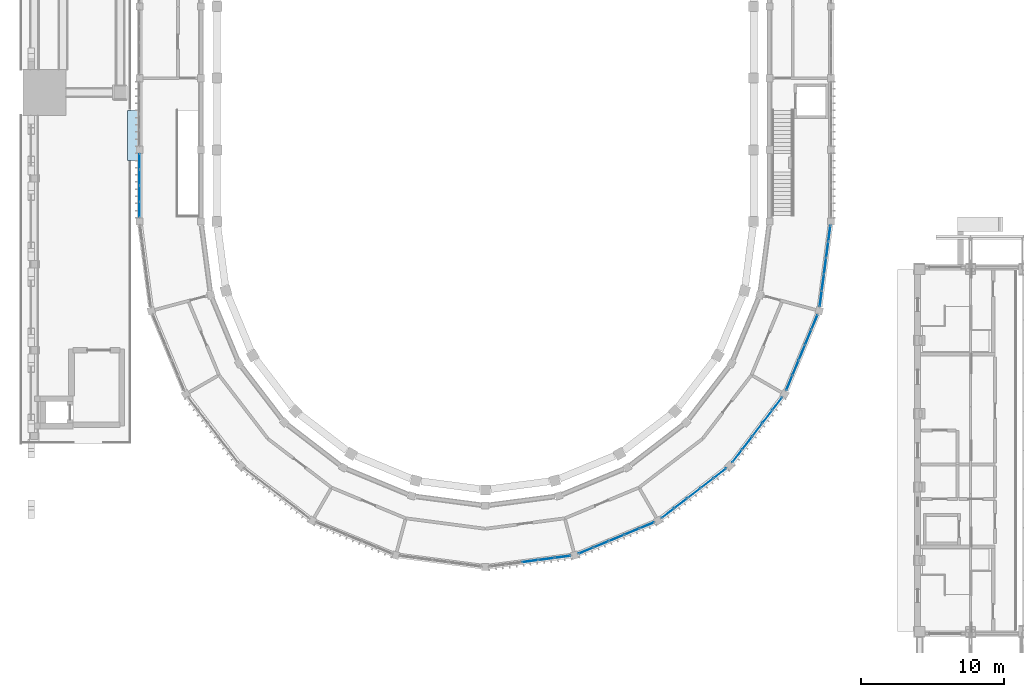
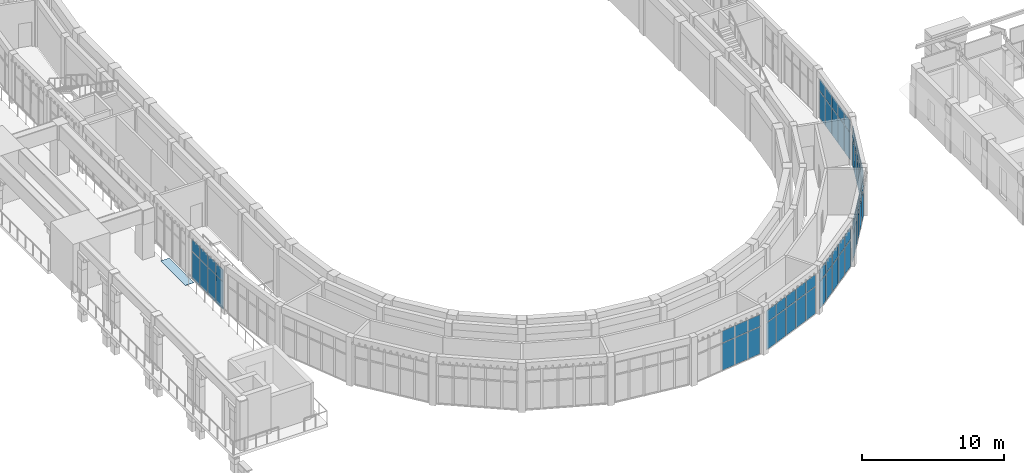
# One storey, part 40 of 99: 65 plates, 7 elements without a shape of their own.
"""IFC4 building model written with IfcOpenShell, lengths in metres."""

from ifc_helpers import new_model, si_unit, direction, frame, origin, origin_2d, place, context, subcontext, project, spatial, rectangle, extrude, material, layer, layer_set, type_object, element, aggregate, save


model = new_model("IFC4")

# Units and contexts
model_context = context("Model", 3, precision=1e-05, world=origin(), true_north=direction((0.0, 1.0)))
body_context = subcontext(model_context, "Body", "Model", "MODEL_VIEW")
ifc_project = project(units=[si_unit("LENGTHUNIT", "METRE"), si_unit("AREAUNIT", "SQUARE_METRE"), si_unit("VOLUMEUNIT", "CUBIC_METRE"), si_unit("PLANEANGLEUNIT", "RADIAN"), si_unit("MASSUNIT", "GRAM", prefix="KILO")], contexts=[model_context])

# Site, building, storey
site_placement = place(None, origin())
site = spatial("IfcSite", under=ifc_project, at=site_placement, CompositionType="ELEMENT")
building_placement = place(site_placement, origin())
building = spatial("IfcBuilding", under=site, at=building_placement, Name="Wasatch Bagh Community Centre", CompositionType="ELEMENT")
storey_placement = place(building_placement, frame((0.0, 0.0, 4.199951171875)))
storey = spatial("IfcBuildingStorey", under=building, at=storey_placement, Name="L01", CompositionType="ELEMENT", Elevation=4.199951171875)

# Plate
ifc_material_1 = material(Name="Aluminium chequer plate", Category="aluminium")
ifc_layer_1 = layer(ifc_material_1, 0.008056640625)
ifc_layer_set_1 = layer_set([ifc_layer_1], Name="Aluminium chequer plate")
plate_type_1 = type_object("IfcPlateType", Name="CT-J1", PredefinedType="SHEET", material=ifc_layer_set_1)
plate_1_placement = place(storey_placement, frame((11.375, 41.0, 0.0), z_axis=(0.0, 0.0, 1.0), x_axis=(1.0, 0.0, 0.0)))
element("IfcPlate", 1, at=plate_1_placement, inside=storey, type_object=plate_type_1, Name="joint cover plate 1", PredefinedType="SHEET", context=body_context, shape_type="SweptSolid", body=[
    extrude(rectangle(XDim=0.699951171875, YDim=3.5, at=origin_2d()), origin(), (0.0, 0.0, 1.0), 0.008056640625),
])

# Curtain wall, plates
ifc_material_2 = material(Name="Aluminium curtain wall frame with low-iron insulated glass", Category="aluminium")
ifc_layer_2 = layer(ifc_material_2, 0.14990234375)
ifc_layer_set_2 = layer_set([ifc_layer_2], Name="Aluminium curtain wall frame with low-iron insulated glass")
curtain_wall_type_1 = type_object("IfcCurtainWallType", Name="Drum curtain wall DR-CW2", PredefinedType="NOTDEFINED", material=ifc_layer_set_2)
curtain_wall_1_placement = place(storey_placement, origin())
curtain_wall_1 = element("IfcCurtainWall", 2, at=curtain_wall_1_placement, inside=storey, type_object=curtain_wall_type_1, Name="Curtain wall DR-CW2 7", PredefinedType="NOTDEFINED")
ifc_material_3 = material(Name="Low-iron insulated glass", Category="glass")
ifc_layer_3 = layer(ifc_material_3, 0.028076171875)
ifc_layer_set_3 = layer_set([ifc_layer_3], Name="Low-iron insulated glass")
plate_type_2 = type_object("IfcPlateType", Name="Drum glass panel DR-CW2", PredefinedType="CURTAIN_PANEL", material=ifc_layer_set_3)
plate_2_placement = place(storey_placement, frame((39.125244140625, 11.261474609375, 0.06005859375), z_axis=(0.0, 0.0, 1.0), x_axis=(0.991444861378, 0.130526192185, 0.0)))
plate_2 = element("IfcPlate", 3, at=plate_2_placement, type_object=plate_type_2, Name="DR-CW2 panel 3.1", PredefinedType="CURTAIN_PANEL", context=body_context, shape_type="SweptSolid", body=[
    extrude(rectangle(XDim=1.095947265625, YDim=0.028076171875, at=origin_2d()), origin(), (0.0, 0.0, 1.0), 2.31005859375),
])
plate_3_placement = place(storey_placement, frame((39.125244140625, 11.261474609375, 2.43017578125), z_axis=(0.0, 0.0, 1.0), x_axis=(0.991444861378, 0.130526192185, 0.0)))
plate_3 = element("IfcPlate", 4, at=plate_3_placement, type_object=plate_type_2, Name="DR-CW2 panel 3.2", PredefinedType="CURTAIN_PANEL", context=body_context, shape_type="SweptSolid", body=[
    extrude(rectangle(XDim=1.095947265625, YDim=0.028076171875, at=origin_2d()), origin(), (0.0, 0.0, 1.0), 1.010009765625),
])
plate_4_placement = place(storey_placement, frame((40.271240234375, 11.412353515625, 0.06005859375), z_axis=(0.0, 0.0, 1.0), x_axis=(0.991444861378, 0.130526192185, 0.0)))
plate_4 = element("IfcPlate", 5, at=plate_4_placement, type_object=plate_type_2, Name="DR-CW2 panel 4.1", PredefinedType="CURTAIN_PANEL", context=body_context, shape_type="SweptSolid", body=[
    extrude(rectangle(XDim=1.095947265625, YDim=0.028076171875, at=origin_2d()), origin(), (0.0, 0.0, 1.0), 2.31005859375),
])
plate_5_placement = place(storey_placement, frame((40.271240234375, 11.412353515625, 2.43017578125), z_axis=(0.0, 0.0, 1.0), x_axis=(0.991444861378, 0.130526192185, 0.0)))
plate_5 = element("IfcPlate", 6, at=plate_5_placement, type_object=plate_type_2, Name="DR-CW2 panel 4.2", PredefinedType="CURTAIN_PANEL", context=body_context, shape_type="SweptSolid", body=[
    extrude(rectangle(XDim=1.095947265625, YDim=0.028076171875, at=origin_2d()), origin(), (0.0, 0.0, 1.0), 1.010009765625),
])
plate_6_placement = place(storey_placement, frame((41.40234375, 11.561279296875, 0.06005859375), z_axis=(0.0, 0.0, 1.0), x_axis=(0.991444861378, 0.130526192185, 0.0)))
plate_6 = element("IfcPlate", 7, at=plate_6_placement, type_object=plate_type_2, Name="DR-CW2 panel 5.1", PredefinedType="CURTAIN_PANEL", context=body_context, shape_type="SweptSolid", body=[
    extrude(rectangle(XDim=1.06591796875, YDim=0.028076171875, at=origin_2d()), origin(), (0.0, 0.0, 1.0), 2.31005859375),
])
plate_7_placement = place(storey_placement, frame((41.40234375, 11.561279296875, 2.43017578125), z_axis=(0.0, 0.0, 1.0), x_axis=(0.991444861378, 0.130526192185, 0.0)))
plate_7 = element("IfcPlate", 8, at=plate_7_placement, type_object=plate_type_2, Name="DR-CW2 panel 5.2", PredefinedType="CURTAIN_PANEL", context=body_context, shape_type="SweptSolid", body=[
    extrude(rectangle(XDim=1.06591796875, YDim=0.028076171875, at=origin_2d()), origin(), (0.0, 0.0, 1.0), 1.010009765625),
])
aggregate(curtain_wall_1, [plate_2, plate_3, plate_4, plate_5, plate_6, plate_7])

curtain_wall_2_placement = place(storey_placement, origin())
curtain_wall_2 = element("IfcCurtainWall", 9, at=curtain_wall_2_placement, inside=storey, type_object=curtain_wall_type_1, Name="Curtain wall DR-CW2 8", PredefinedType="NOTDEFINED")
plate_8_placement = place(storey_placement, frame((43.040771484375, 12.000244140625, 0.06005859375), z_axis=(0.0, 0.0, 1.0), x_axis=(0.923879532451, 0.38268343251, 0.0)))
plate_8 = element("IfcPlate", 10, at=plate_8_placement, type_object=plate_type_2, Name="DR-CW2 panel 1.1", PredefinedType="CURTAIN_PANEL", context=body_context, shape_type="SweptSolid", body=[
    extrude(rectangle(XDim=1.06591796875, YDim=0.028076171875, at=origin_2d()), origin(), (0.0, 0.0, 1.0), 2.31005859375),
])
plate_9_placement = place(storey_placement, frame((43.040771484375, 12.000244140625, 2.43017578125), z_axis=(0.0, 0.0, 1.0), x_axis=(0.923879532451, 0.38268343251, 0.0)))
plate_9 = element("IfcPlate", 11, at=plate_9_placement, type_object=plate_type_2, Name="DR-CW2 panel 1.2", PredefinedType="CURTAIN_PANEL", context=body_context, shape_type="SweptSolid", body=[
    extrude(rectangle(XDim=1.06591796875, YDim=0.028076171875, at=origin_2d()), origin(), (0.0, 0.0, 1.0), 1.010009765625),
])
plate_10_placement = place(storey_placement, frame((44.094970703125, 12.436767578125, 0.06005859375), z_axis=(0.0, 0.0, 1.0), x_axis=(0.923879532451, 0.38268343251, 0.0)))
plate_10 = element("IfcPlate", 12, at=plate_10_placement, type_object=plate_type_2, Name="DR-CW2 panel 2.1", PredefinedType="CURTAIN_PANEL", context=body_context, shape_type="SweptSolid", body=[
    extrude(rectangle(XDim=1.095947265625, YDim=0.028076171875, at=origin_2d()), origin(), (0.0, 0.0, 1.0), 2.31005859375),
])
plate_11_placement = place(storey_placement, frame((44.094970703125, 12.436767578125, 2.43017578125), z_axis=(0.0, 0.0, 1.0), x_axis=(0.923879532451, 0.38268343251, 0.0)))
plate_11 = element("IfcPlate", 13, at=plate_11_placement, type_object=plate_type_2, Name="DR-CW2 panel 2.2", PredefinedType="CURTAIN_PANEL", context=body_context, shape_type="SweptSolid", body=[
    extrude(rectangle(XDim=1.095947265625, YDim=0.028076171875, at=origin_2d()), origin(), (0.0, 0.0, 1.0), 1.010009765625),
])
plate_12_placement = place(storey_placement, frame((45.162841796875, 12.879150390625, 0.06005859375), z_axis=(0.0, 0.0, 1.0), x_axis=(0.923879532451, 0.38268343251, 0.0)))
plate_12 = element("IfcPlate", 14, at=plate_12_placement, type_object=plate_type_2, Name="DR-CW2 panel 3.1", PredefinedType="CURTAIN_PANEL", context=body_context, shape_type="SweptSolid", body=[
    extrude(rectangle(XDim=1.095947265625, YDim=0.028076171875, at=origin_2d()), origin(), (0.0, 0.0, 1.0), 2.31005859375),
])
plate_13_placement = place(storey_placement, frame((45.162841796875, 12.879150390625, 2.43017578125), z_axis=(0.0, 0.0, 1.0), x_axis=(0.923879532451, 0.38268343251, 0.0)))
plate_13 = element("IfcPlate", 15, at=plate_13_placement, type_object=plate_type_2, Name="DR-CW2 panel 3.2", PredefinedType="CURTAIN_PANEL", context=body_context, shape_type="SweptSolid", body=[
    extrude(rectangle(XDim=1.095947265625, YDim=0.028076171875, at=origin_2d()), origin(), (0.0, 0.0, 1.0), 1.010009765625),
])
plate_14_placement = place(storey_placement, frame((46.230712890625, 13.321533203125, 0.06005859375), z_axis=(0.0, 0.0, 1.0), x_axis=(0.923879532451, 0.38268343251, 0.0)))
plate_14 = element("IfcPlate", 16, at=plate_14_placement, type_object=plate_type_2, Name="DR-CW2 panel 4.1", PredefinedType="CURTAIN_PANEL", context=body_context, shape_type="SweptSolid", body=[
    extrude(rectangle(XDim=1.095947265625, YDim=0.028076171875, at=origin_2d()), origin(), (0.0, 0.0, 1.0), 2.31005859375),
])
plate_15_placement = place(storey_placement, frame((46.230712890625, 13.321533203125, 2.43017578125), z_axis=(0.0, 0.0, 1.0), x_axis=(0.923879532451, 0.38268343251, 0.0)))
plate_15 = element("IfcPlate", 17, at=plate_15_placement, type_object=plate_type_2, Name="DR-CW2 panel 4.2", PredefinedType="CURTAIN_PANEL", context=body_context, shape_type="SweptSolid", body=[
    extrude(rectangle(XDim=1.095947265625, YDim=0.028076171875, at=origin_2d()), origin(), (0.0, 0.0, 1.0), 1.010009765625),
])
plate_16_placement = place(storey_placement, frame((47.28466796875, 13.758056640625, 0.06005859375), z_axis=(0.0, 0.0, 1.0), x_axis=(0.923879532451, 0.38268343251, 0.0)))
plate_16 = element("IfcPlate", 18, at=plate_16_placement, type_object=plate_type_2, Name="DR-CW2 panel 5.1", PredefinedType="CURTAIN_PANEL", context=body_context, shape_type="SweptSolid", body=[
    extrude(rectangle(XDim=1.06591796875, YDim=0.028076171875, at=origin_2d()), origin(), (0.0, 0.0, 1.0), 2.31005859375),
])
plate_17_placement = place(storey_placement, frame((47.28466796875, 13.758056640625, 2.43017578125), z_axis=(0.0, 0.0, 1.0), x_axis=(0.923879532451, 0.38268343251, 0.0)))
plate_17 = element("IfcPlate", 19, at=plate_17_placement, type_object=plate_type_2, Name="DR-CW2 panel 5.2", PredefinedType="CURTAIN_PANEL", context=body_context, shape_type="SweptSolid", body=[
    extrude(rectangle(XDim=1.06591796875, YDim=0.028076171875, at=origin_2d()), origin(), (0.0, 0.0, 1.0), 1.010009765625),
])
aggregate(curtain_wall_2, [plate_8, plate_9, plate_10, plate_11, plate_12, plate_13, plate_14, plate_15, plate_16, plate_17])

curtain_wall_3_placement = place(storey_placement, origin())
curtain_wall_3 = element("IfcCurtainWall", 20, at=curtain_wall_3_placement, inside=storey, type_object=curtain_wall_type_1, Name="Curtain wall DR-CW2 9", PredefinedType="NOTDEFINED")
plate_18_placement = place(storey_placement, frame((48.753662109375, 14.606201171875, 0.06005859375), z_axis=(0.0, 0.0, 1.0), x_axis=(0.793353340196, 0.608761429133, 0.0)))
plate_18 = element("IfcPlate", 21, at=plate_18_placement, type_object=plate_type_2, Name="DR-CW2 panel 1.1", PredefinedType="CURTAIN_PANEL", context=body_context, shape_type="SweptSolid", body=[
    extrude(rectangle(XDim=1.06591796875, YDim=0.028076171875, at=origin_2d()), origin(), (0.0, 0.0, 1.0), 2.31005859375),
])
plate_19_placement = place(storey_placement, frame((48.753662109375, 14.606201171875, 2.43017578125), z_axis=(0.0, 0.0, 1.0), x_axis=(0.793353340196, 0.608761429133, 0.0)))
plate_19 = element("IfcPlate", 22, at=plate_19_placement, type_object=plate_type_2, Name="DR-CW2 panel 1.2", PredefinedType="CURTAIN_PANEL", context=body_context, shape_type="SweptSolid", body=[
    extrude(rectangle(XDim=1.06591796875, YDim=0.028076171875, at=origin_2d()), origin(), (0.0, 0.0, 1.0), 1.010009765625),
])
plate_20_placement = place(storey_placement, frame((49.65869140625, 15.30078125, 0.06005859375), z_axis=(0.0, 0.0, 1.0), x_axis=(0.793353340196, 0.608761429133, 0.0)))
plate_20 = element("IfcPlate", 23, at=plate_20_placement, type_object=plate_type_2, Name="DR-CW2 panel 2.1", PredefinedType="CURTAIN_PANEL", context=body_context, shape_type="SweptSolid", body=[
    extrude(rectangle(XDim=1.095947265625, YDim=0.028076171875, at=origin_2d()), origin(), (0.0, 0.0, 1.0), 2.31005859375),
])
plate_21_placement = place(storey_placement, frame((49.65869140625, 15.30078125, 2.43017578125), z_axis=(0.0, 0.0, 1.0), x_axis=(0.793353340196, 0.608761429133, 0.0)))
plate_21 = element("IfcPlate", 24, at=plate_21_placement, type_object=plate_type_2, Name="DR-CW2 panel 2.2", PredefinedType="CURTAIN_PANEL", context=body_context, shape_type="SweptSolid", body=[
    extrude(rectangle(XDim=1.095947265625, YDim=0.028076171875, at=origin_2d()), origin(), (0.0, 0.0, 1.0), 1.010009765625),
])
plate_22_placement = place(storey_placement, frame((50.575927734375, 16.00439453125, 0.06005859375), z_axis=(0.0, 0.0, 1.0), x_axis=(0.793353340196, 0.608761429133, 0.0)))
plate_22 = element("IfcPlate", 25, at=plate_22_placement, type_object=plate_type_2, Name="DR-CW2 panel 3.1", PredefinedType="CURTAIN_PANEL", context=body_context, shape_type="SweptSolid", body=[
    extrude(rectangle(XDim=1.095947265625, YDim=0.028076171875, at=origin_2d()), origin(), (0.0, 0.0, 1.0), 2.31005859375),
])
plate_23_placement = place(storey_placement, frame((50.575927734375, 16.00439453125, 2.43017578125), z_axis=(0.0, 0.0, 1.0), x_axis=(0.793353340196, 0.608761429133, 0.0)))
plate_23 = element("IfcPlate", 26, at=plate_23_placement, type_object=plate_type_2, Name="DR-CW2 panel 3.2", PredefinedType="CURTAIN_PANEL", context=body_context, shape_type="SweptSolid", body=[
    extrude(rectangle(XDim=1.095947265625, YDim=0.028076171875, at=origin_2d()), origin(), (0.0, 0.0, 1.0), 1.010009765625),
])
plate_24_placement = place(storey_placement, frame((51.492919921875, 16.7080078125, 0.06005859375), z_axis=(0.0, 0.0, 1.0), x_axis=(0.793353340196, 0.608761429133, 0.0)))
plate_24 = element("IfcPlate", 27, at=plate_24_placement, type_object=plate_type_2, Name="DR-CW2 panel 4.1", PredefinedType="CURTAIN_PANEL", context=body_context, shape_type="SweptSolid", body=[
    extrude(rectangle(XDim=1.095947265625, YDim=0.028076171875, at=origin_2d()), origin(), (0.0, 0.0, 1.0), 2.31005859375),
])
plate_25_placement = place(storey_placement, frame((51.492919921875, 16.7080078125, 2.43017578125), z_axis=(0.0, 0.0, 1.0), x_axis=(0.793353340196, 0.608761429133, 0.0)))
plate_25 = element("IfcPlate", 28, at=plate_25_placement, type_object=plate_type_2, Name="DR-CW2 panel 4.2", PredefinedType="CURTAIN_PANEL", context=body_context, shape_type="SweptSolid", body=[
    extrude(rectangle(XDim=1.095947265625, YDim=0.028076171875, at=origin_2d()), origin(), (0.0, 0.0, 1.0), 1.010009765625),
])
plate_26_placement = place(storey_placement, frame((52.39794921875, 17.402587890625, 0.06005859375), z_axis=(0.0, 0.0, 1.0), x_axis=(0.793353340196, 0.608761429133, 0.0)))
plate_26 = element("IfcPlate", 29, at=plate_26_placement, type_object=plate_type_2, Name="DR-CW2 panel 5.1", PredefinedType="CURTAIN_PANEL", context=body_context, shape_type="SweptSolid", body=[
    extrude(rectangle(XDim=1.06591796875, YDim=0.028076171875, at=origin_2d()), origin(), (0.0, 0.0, 1.0), 2.31005859375),
])
plate_27_placement = place(storey_placement, frame((52.39794921875, 17.402587890625, 2.43017578125), z_axis=(0.0, 0.0, 1.0), x_axis=(0.793353340196, 0.608761429133, 0.0)))
plate_27 = element("IfcPlate", 30, at=plate_27_placement, type_object=plate_type_2, Name="DR-CW2 panel 5.2", PredefinedType="CURTAIN_PANEL", context=body_context, shape_type="SweptSolid", body=[
    extrude(rectangle(XDim=1.06591796875, YDim=0.028076171875, at=origin_2d()), origin(), (0.0, 0.0, 1.0), 1.010009765625),
])
aggregate(curtain_wall_3, [plate_18, plate_19, plate_20, plate_21, plate_22, plate_23, plate_24, plate_25, plate_26, plate_27])

curtain_wall_4_placement = place(storey_placement, origin())
curtain_wall_4 = element("IfcCurtainWall", 31, at=curtain_wall_4_placement, inside=storey, type_object=curtain_wall_type_1, Name="Curtain wall DR-CW2 10", PredefinedType="NOTDEFINED")
plate_28_placement = place(storey_placement, frame((53.597412109375, 18.60205078125, 0.06005859375), z_axis=(0.0, 0.0, 1.0), x_axis=(0.608761429133, 0.793353340196, 0.0)))
plate_28 = element("IfcPlate", 32, at=plate_28_placement, type_object=plate_type_2, Name="DR-CW2 panel 1.1", PredefinedType="CURTAIN_PANEL", context=body_context, shape_type="SweptSolid", body=[
    extrude(rectangle(XDim=1.06591796875, YDim=0.028076171875, at=origin_2d()), origin(), (0.0, 0.0, 1.0), 2.31005859375),
])
plate_29_placement = place(storey_placement, frame((53.597412109375, 18.60205078125, 2.43017578125), z_axis=(0.0, 0.0, 1.0), x_axis=(0.608761429133, 0.793353340196, 0.0)))
plate_29 = element("IfcPlate", 33, at=plate_29_placement, type_object=plate_type_2, Name="DR-CW2 panel 1.2", PredefinedType="CURTAIN_PANEL", context=body_context, shape_type="SweptSolid", body=[
    extrude(rectangle(XDim=1.06591796875, YDim=0.028076171875, at=origin_2d()), origin(), (0.0, 0.0, 1.0), 1.010009765625),
])
plate_30_placement = place(storey_placement, frame((54.2919921875, 19.507080078125, 0.06005859375), z_axis=(0.0, 0.0, 1.0), x_axis=(0.608761429133, 0.793353340196, 0.0)))
plate_30 = element("IfcPlate", 34, at=plate_30_placement, type_object=plate_type_2, Name="DR-CW2 panel 2.1", PredefinedType="CURTAIN_PANEL", context=body_context, shape_type="SweptSolid", body=[
    extrude(rectangle(XDim=1.095947265625, YDim=0.028076171875, at=origin_2d()), origin(), (0.0, 0.0, 1.0), 2.31005859375),
])
plate_31_placement = place(storey_placement, frame((54.2919921875, 19.507080078125, 2.43017578125), z_axis=(0.0, 0.0, 1.0), x_axis=(0.608761429133, 0.793353340196, 0.0)))
plate_31 = element("IfcPlate", 35, at=plate_31_placement, type_object=plate_type_2, Name="DR-CW2 panel 2.2", PredefinedType="CURTAIN_PANEL", context=body_context, shape_type="SweptSolid", body=[
    extrude(rectangle(XDim=1.095947265625, YDim=0.028076171875, at=origin_2d()), origin(), (0.0, 0.0, 1.0), 1.010009765625),
])
plate_32_placement = place(storey_placement, frame((54.99560546875, 20.424072265625, 0.06005859375), z_axis=(0.0, 0.0, 1.0), x_axis=(0.608761429133, 0.793353340196, 0.0)))
plate_32 = element("IfcPlate", 36, at=plate_32_placement, type_object=plate_type_2, Name="DR-CW2 panel 3.1", PredefinedType="CURTAIN_PANEL", context=body_context, shape_type="SweptSolid", body=[
    extrude(rectangle(XDim=1.095947265625, YDim=0.028076171875, at=origin_2d()), origin(), (0.0, 0.0, 1.0), 2.31005859375),
])
plate_33_placement = place(storey_placement, frame((54.99560546875, 20.424072265625, 2.43017578125), z_axis=(0.0, 0.0, 1.0), x_axis=(0.608761429133, 0.793353340196, 0.0)))
plate_33 = element("IfcPlate", 37, at=plate_33_placement, type_object=plate_type_2, Name="DR-CW2 panel 3.2", PredefinedType="CURTAIN_PANEL", context=body_context, shape_type="SweptSolid", body=[
    extrude(rectangle(XDim=1.095947265625, YDim=0.028076171875, at=origin_2d()), origin(), (0.0, 0.0, 1.0), 1.010009765625),
])
plate_34_placement = place(storey_placement, frame((55.69921875, 21.34130859375, 0.06005859375), z_axis=(0.0, 0.0, 1.0), x_axis=(0.608761429133, 0.793353340196, 0.0)))
plate_34 = element("IfcPlate", 38, at=plate_34_placement, type_object=plate_type_2, Name="DR-CW2 panel 4.1", PredefinedType="CURTAIN_PANEL", context=body_context, shape_type="SweptSolid", body=[
    extrude(rectangle(XDim=1.095947265625, YDim=0.028076171875, at=origin_2d()), origin(), (0.0, 0.0, 1.0), 2.31005859375),
])
plate_35_placement = place(storey_placement, frame((55.69921875, 21.34130859375, 2.43017578125), z_axis=(0.0, 0.0, 1.0), x_axis=(0.608761429133, 0.793353340196, 0.0)))
plate_35 = element("IfcPlate", 39, at=plate_35_placement, type_object=plate_type_2, Name="DR-CW2 panel 4.2", PredefinedType="CURTAIN_PANEL", context=body_context, shape_type="SweptSolid", body=[
    extrude(rectangle(XDim=1.095947265625, YDim=0.028076171875, at=origin_2d()), origin(), (0.0, 0.0, 1.0), 1.010009765625),
])
plate_36_placement = place(storey_placement, frame((56.393798828125, 22.246337890625, 0.06005859375), z_axis=(0.0, 0.0, 1.0), x_axis=(0.608761429133, 0.793353340196, 0.0)))
plate_36 = element("IfcPlate", 40, at=plate_36_placement, type_object=plate_type_2, Name="DR-CW2 panel 5.1", PredefinedType="CURTAIN_PANEL", context=body_context, shape_type="SweptSolid", body=[
    extrude(rectangle(XDim=1.06591796875, YDim=0.028076171875, at=origin_2d()), origin(), (0.0, 0.0, 1.0), 2.31005859375),
])
plate_37_placement = place(storey_placement, frame((56.393798828125, 22.246337890625, 2.43017578125), z_axis=(0.0, 0.0, 1.0), x_axis=(0.608761429133, 0.793353340196, 0.0)))
plate_37 = element("IfcPlate", 41, at=plate_37_placement, type_object=plate_type_2, Name="DR-CW2 panel 5.2", PredefinedType="CURTAIN_PANEL", context=body_context, shape_type="SweptSolid", body=[
    extrude(rectangle(XDim=1.06591796875, YDim=0.028076171875, at=origin_2d()), origin(), (0.0, 0.0, 1.0), 1.010009765625),
])
aggregate(curtain_wall_4, [plate_28, plate_29, plate_30, plate_31, plate_32, plate_33, plate_34, plate_35, plate_36, plate_37])

curtain_wall_5_placement = place(storey_placement, origin())
curtain_wall_5 = element("IfcCurtainWall", 42, at=curtain_wall_5_placement, inside=storey, type_object=curtain_wall_type_1, Name="Curtain wall DR-CW2 11", PredefinedType="NOTDEFINED")
plate_38_placement = place(storey_placement, frame((57.241943359375, 23.71533203125, 0.06005859375), z_axis=(0.0, 0.0, 1.0), x_axis=(0.38268343251, 0.923879532451, 0.0)))
plate_38 = element("IfcPlate", 43, at=plate_38_placement, type_object=plate_type_2, Name="DR-CW2 panel 1.1", PredefinedType="CURTAIN_PANEL", context=body_context, shape_type="SweptSolid", body=[
    extrude(rectangle(XDim=1.06591796875, YDim=0.028076171875, at=origin_2d()), origin(), (0.0, 0.0, 1.0), 2.31005859375),
])
plate_39_placement = place(storey_placement, frame((57.241943359375, 23.71533203125, 2.43017578125), z_axis=(0.0, 0.0, 1.0), x_axis=(0.38268343251, 0.923879532451, 0.0)))
plate_39 = element("IfcPlate", 44, at=plate_39_placement, type_object=plate_type_2, Name="DR-CW2 panel 1.2", PredefinedType="CURTAIN_PANEL", context=body_context, shape_type="SweptSolid", body=[
    extrude(rectangle(XDim=1.06591796875, YDim=0.028076171875, at=origin_2d()), origin(), (0.0, 0.0, 1.0), 1.010009765625),
])
plate_40_placement = place(storey_placement, frame((57.678466796875, 24.769287109375, 0.06005859375), z_axis=(0.0, 0.0, 1.0), x_axis=(0.38268343251, 0.923879532451, 0.0)))
plate_40 = element("IfcPlate", 45, at=plate_40_placement, type_object=plate_type_2, Name="DR-CW2 panel 2.1", PredefinedType="CURTAIN_PANEL", context=body_context, shape_type="SweptSolid", body=[
    extrude(rectangle(XDim=1.095947265625, YDim=0.028076171875, at=origin_2d()), origin(), (0.0, 0.0, 1.0), 2.31005859375),
])
plate_41_placement = place(storey_placement, frame((57.678466796875, 24.769287109375, 2.43017578125), z_axis=(0.0, 0.0, 1.0), x_axis=(0.38268343251, 0.923879532451, 0.0)))
plate_41 = element("IfcPlate", 46, at=plate_41_placement, type_object=plate_type_2, Name="DR-CW2 panel 2.2", PredefinedType="CURTAIN_PANEL", context=body_context, shape_type="SweptSolid", body=[
    extrude(rectangle(XDim=1.095947265625, YDim=0.028076171875, at=origin_2d()), origin(), (0.0, 0.0, 1.0), 1.010009765625),
])
plate_42_placement = place(storey_placement, frame((58.120849609375, 25.837158203125, 0.06005859375), z_axis=(0.0, 0.0, 1.0), x_axis=(0.38268343251, 0.923879532451, 0.0)))
plate_42 = element("IfcPlate", 47, at=plate_42_placement, type_object=plate_type_2, Name="DR-CW2 panel 3.1", PredefinedType="CURTAIN_PANEL", context=body_context, shape_type="SweptSolid", body=[
    extrude(rectangle(XDim=1.095947265625, YDim=0.028076171875, at=origin_2d()), origin(), (0.0, 0.0, 1.0), 2.31005859375),
])
plate_43_placement = place(storey_placement, frame((58.120849609375, 25.837158203125, 2.43017578125), z_axis=(0.0, 0.0, 1.0), x_axis=(0.38268343251, 0.923879532451, 0.0)))
plate_43 = element("IfcPlate", 48, at=plate_43_placement, type_object=plate_type_2, Name="DR-CW2 panel 3.2", PredefinedType="CURTAIN_PANEL", context=body_context, shape_type="SweptSolid", body=[
    extrude(rectangle(XDim=1.095947265625, YDim=0.028076171875, at=origin_2d()), origin(), (0.0, 0.0, 1.0), 1.010009765625),
])
plate_44_placement = place(storey_placement, frame((58.563232421875, 26.905029296875, 0.06005859375), z_axis=(0.0, 0.0, 1.0), x_axis=(0.38268343251, 0.923879532451, 0.0)))
plate_44 = element("IfcPlate", 49, at=plate_44_placement, type_object=plate_type_2, Name="DR-CW2 panel 4.1", PredefinedType="CURTAIN_PANEL", context=body_context, shape_type="SweptSolid", body=[
    extrude(rectangle(XDim=1.095947265625, YDim=0.028076171875, at=origin_2d()), origin(), (0.0, 0.0, 1.0), 2.31005859375),
])
plate_45_placement = place(storey_placement, frame((58.563232421875, 26.905029296875, 2.43017578125), z_axis=(0.0, 0.0, 1.0), x_axis=(0.38268343251, 0.923879532451, 0.0)))
plate_45 = element("IfcPlate", 50, at=plate_45_placement, type_object=plate_type_2, Name="DR-CW2 panel 4.2", PredefinedType="CURTAIN_PANEL", context=body_context, shape_type="SweptSolid", body=[
    extrude(rectangle(XDim=1.095947265625, YDim=0.028076171875, at=origin_2d()), origin(), (0.0, 0.0, 1.0), 1.010009765625),
])
plate_46_placement = place(storey_placement, frame((58.999755859375, 27.959228515625, 0.06005859375), z_axis=(0.0, 0.0, 1.0), x_axis=(0.38268343251, 0.923879532451, 0.0)))
plate_46 = element("IfcPlate", 51, at=plate_46_placement, type_object=plate_type_2, Name="DR-CW2 panel 5.1", PredefinedType="CURTAIN_PANEL", context=body_context, shape_type="SweptSolid", body=[
    extrude(rectangle(XDim=1.06591796875, YDim=0.028076171875, at=origin_2d()), origin(), (0.0, 0.0, 1.0), 2.31005859375),
])
plate_47_placement = place(storey_placement, frame((58.999755859375, 27.959228515625, 2.43017578125), z_axis=(0.0, 0.0, 1.0), x_axis=(0.38268343251, 0.923879532451, 0.0)))
plate_47 = element("IfcPlate", 52, at=plate_47_placement, type_object=plate_type_2, Name="DR-CW2 panel 5.2", PredefinedType="CURTAIN_PANEL", context=body_context, shape_type="SweptSolid", body=[
    extrude(rectangle(XDim=1.06591796875, YDim=0.028076171875, at=origin_2d()), origin(), (0.0, 0.0, 1.0), 1.010009765625),
])
aggregate(curtain_wall_5, [plate_38, plate_39, plate_40, plate_41, plate_42, plate_43, plate_44, plate_45, plate_46, plate_47])

curtain_wall_6_placement = place(storey_placement, origin())
curtain_wall_6 = element("IfcCurtainWall", 53, at=curtain_wall_6_placement, inside=storey, type_object=curtain_wall_type_1, Name="Curtain wall DR-CW2 12", PredefinedType="NOTDEFINED")
plate_48_placement = place(storey_placement, frame((59.438720703125, 29.59765625, 0.06005859375), z_axis=(0.0, 0.0, 1.0), x_axis=(0.130526192185, 0.991444861378, 0.0)))
plate_48 = element("IfcPlate", 54, at=plate_48_placement, type_object=plate_type_2, Name="DR-CW2 panel 1.1", PredefinedType="CURTAIN_PANEL", context=body_context, shape_type="SweptSolid", body=[
    extrude(rectangle(XDim=1.06591796875, YDim=0.028076171875, at=origin_2d()), origin(), (0.0, 0.0, 1.0), 2.31005859375),
])
plate_49_placement = place(storey_placement, frame((59.438720703125, 29.59765625, 2.43017578125), z_axis=(0.0, 0.0, 1.0), x_axis=(0.130526192185, 0.991444861378, 0.0)))
plate_49 = element("IfcPlate", 55, at=plate_49_placement, type_object=plate_type_2, Name="DR-CW2 panel 1.2", PredefinedType="CURTAIN_PANEL", context=body_context, shape_type="SweptSolid", body=[
    extrude(rectangle(XDim=1.06591796875, YDim=0.028076171875, at=origin_2d()), origin(), (0.0, 0.0, 1.0), 1.010009765625),
])
plate_50_placement = place(storey_placement, frame((59.587646484375, 30.728759765625, 0.06005859375), z_axis=(0.0, 0.0, 1.0), x_axis=(0.130526192185, 0.991444861378, 0.0)))
plate_50 = element("IfcPlate", 56, at=plate_50_placement, type_object=plate_type_2, Name="DR-CW2 panel 2.1", PredefinedType="CURTAIN_PANEL", context=body_context, shape_type="SweptSolid", body=[
    extrude(rectangle(XDim=1.095947265625, YDim=0.028076171875, at=origin_2d()), origin(), (0.0, 0.0, 1.0), 2.31005859375),
])
plate_51_placement = place(storey_placement, frame((59.587646484375, 30.728759765625, 2.43017578125), z_axis=(0.0, 0.0, 1.0), x_axis=(0.130526192185, 0.991444861378, 0.0)))
plate_51 = element("IfcPlate", 57, at=plate_51_placement, type_object=plate_type_2, Name="DR-CW2 panel 2.2", PredefinedType="CURTAIN_PANEL", context=body_context, shape_type="SweptSolid", body=[
    extrude(rectangle(XDim=1.095947265625, YDim=0.028076171875, at=origin_2d()), origin(), (0.0, 0.0, 1.0), 1.010009765625),
])
plate_52_placement = place(storey_placement, frame((59.738525390625, 31.874755859375, 0.06005859375), z_axis=(0.0, 0.0, 1.0), x_axis=(0.130526192185, 0.991444861378, 0.0)))
plate_52 = element("IfcPlate", 58, at=plate_52_placement, type_object=plate_type_2, Name="DR-CW2 panel 3.1", PredefinedType="CURTAIN_PANEL", context=body_context, shape_type="SweptSolid", body=[
    extrude(rectangle(XDim=1.095947265625, YDim=0.028076171875, at=origin_2d()), origin(), (0.0, 0.0, 1.0), 2.31005859375),
])
plate_53_placement = place(storey_placement, frame((59.738525390625, 31.874755859375, 2.43017578125), z_axis=(0.0, 0.0, 1.0), x_axis=(0.130526192185, 0.991444861378, 0.0)))
plate_53 = element("IfcPlate", 59, at=plate_53_placement, type_object=plate_type_2, Name="DR-CW2 panel 3.2", PredefinedType="CURTAIN_PANEL", context=body_context, shape_type="SweptSolid", body=[
    extrude(rectangle(XDim=1.095947265625, YDim=0.028076171875, at=origin_2d()), origin(), (0.0, 0.0, 1.0), 1.010009765625),
])
plate_54_placement = place(storey_placement, frame((59.889404296875, 33.020751953125, 0.06005859375), z_axis=(0.0, 0.0, 1.0), x_axis=(0.130526192185, 0.991444861378, 0.0)))
plate_54 = element("IfcPlate", 60, at=plate_54_placement, type_object=plate_type_2, Name="DR-CW2 panel 4.1", PredefinedType="CURTAIN_PANEL", context=body_context, shape_type="SweptSolid", body=[
    extrude(rectangle(XDim=1.095947265625, YDim=0.028076171875, at=origin_2d()), origin(), (0.0, 0.0, 1.0), 2.31005859375),
])
plate_55_placement = place(storey_placement, frame((59.889404296875, 33.020751953125, 2.43017578125), z_axis=(0.0, 0.0, 1.0), x_axis=(0.130526192185, 0.991444861378, 0.0)))
plate_55 = element("IfcPlate", 61, at=plate_55_placement, type_object=plate_type_2, Name="DR-CW2 panel 4.2", PredefinedType="CURTAIN_PANEL", context=body_context, shape_type="SweptSolid", body=[
    extrude(rectangle(XDim=1.095947265625, YDim=0.028076171875, at=origin_2d()), origin(), (0.0, 0.0, 1.0), 1.010009765625),
])
plate_56_placement = place(storey_placement, frame((60.038330078125, 34.15185546875, 0.06005859375), z_axis=(0.0, 0.0, 1.0), x_axis=(0.130526192185, 0.991444861378, 0.0)))
plate_56 = element("IfcPlate", 62, at=plate_56_placement, type_object=plate_type_2, Name="DR-CW2 panel 5.1", PredefinedType="CURTAIN_PANEL", context=body_context, shape_type="SweptSolid", body=[
    extrude(rectangle(XDim=1.06591796875, YDim=0.028076171875, at=origin_2d()), origin(), (0.0, 0.0, 1.0), 2.31005859375),
])
plate_57_placement = place(storey_placement, frame((60.038330078125, 34.15185546875, 2.43017578125), z_axis=(0.0, 0.0, 1.0), x_axis=(0.130526192185, 0.991444861378, 0.0)))
plate_57 = element("IfcPlate", 63, at=plate_57_placement, type_object=plate_type_2, Name="DR-CW2 panel 5.2", PredefinedType="CURTAIN_PANEL", context=body_context, shape_type="SweptSolid", body=[
    extrude(rectangle(XDim=1.06591796875, YDim=0.028076171875, at=origin_2d()), origin(), (0.0, 0.0, 1.0), 1.010009765625),
])
aggregate(curtain_wall_6, [plate_48, plate_49, plate_50, plate_51, plate_52, plate_53, plate_54, plate_55, plate_56, plate_57])

ifc_layer_4 = layer(ifc_material_2, 0.14990234375)
ifc_layer_set_4 = layer_set([ifc_layer_4], Name="Aluminium curtain wall frame with low-iron insulated glass")
curtain_wall_type_2 = type_object("IfcCurtainWallType", Name="Drum curtain wall DR-CW4", PredefinedType="NOTDEFINED", material=ifc_layer_set_4)
curtain_wall_7_placement = place(storey_placement, origin())
curtain_wall_7 = element("IfcCurtainWall", 64, at=curtain_wall_7_placement, inside=storey, type_object=curtain_wall_type_2, Name="Curtain wall DR-CW4 36", PredefinedType="NOTDEFINED")
ifc_layer_5 = layer(ifc_material_3, 0.028076171875)
ifc_layer_set_5 = layer_set([ifc_layer_5], Name="Low-iron insulated glass")
plate_type_3 = type_object("IfcPlateType", Name="Drum glass panel DR-CW4", PredefinedType="CURTAIN_PANEL", material=ifc_layer_set_5)
plate_58_placement = place(storey_placement, frame((11.85009765625, 39.172119140625, 0.06005859375), z_axis=(0.0, 0.0, 1.0), x_axis=(0.0, -1.0, 0.0)))
plate_58 = element("IfcPlate", 65, at=plate_58_placement, type_object=plate_type_3, Name="DR-CW4 panel 1.1", PredefinedType="CURTAIN_PANEL", context=body_context, shape_type="SweptSolid", body=[
    extrude(rectangle(XDim=1.03466796875, YDim=0.028076171875, at=origin_2d()), origin(), (0.0, 0.0, 1.0), 2.31005859375),
])
plate_59_placement = place(storey_placement, frame((11.85009765625, 39.172119140625, 2.43017578125), z_axis=(0.0, 0.0, 1.0), x_axis=(0.0, -1.0, 0.0)))
plate_59 = element("IfcPlate", 66, at=plate_59_placement, type_object=plate_type_3, Name="DR-CW4 panel 1.2", PredefinedType="CURTAIN_PANEL", context=body_context, shape_type="SweptSolid", body=[
    extrude(rectangle(XDim=1.03466796875, YDim=0.028076171875, at=origin_2d()), origin(), (0.0, 0.0, 1.0), 1.010009765625),
])
plate_60_placement = place(storey_placement, frame((11.85009765625, 38.062255859375, 0.06005859375), z_axis=(0.0, 0.0, 1.0), x_axis=(0.0, -1.0, 0.0)))
plate_60 = element("IfcPlate", 67, at=plate_60_placement, type_object=plate_type_3, Name="DR-CW4 panel 2.1", PredefinedType="CURTAIN_PANEL", context=body_context, shape_type="SweptSolid", body=[
    extrude(rectangle(XDim=1.064697265625, YDim=0.028076171875, at=origin_2d()), origin(), (0.0, 0.0, 1.0), 2.31005859375),
])
plate_61_placement = place(storey_placement, frame((11.85009765625, 38.062255859375, 2.43017578125), z_axis=(0.0, 0.0, 1.0), x_axis=(0.0, -1.0, 0.0)))
plate_61 = element("IfcPlate", 68, at=plate_61_placement, type_object=plate_type_3, Name="DR-CW4 panel 2.2", PredefinedType="CURTAIN_PANEL", context=body_context, shape_type="SweptSolid", body=[
    extrude(rectangle(XDim=1.064697265625, YDim=0.028076171875, at=origin_2d()), origin(), (0.0, 0.0, 1.0), 1.010009765625),
])
plate_62_placement = place(storey_placement, frame((11.85009765625, 36.937744140625, 0.06005859375), z_axis=(0.0, 0.0, 1.0), x_axis=(0.0, -1.0, 0.0)))
plate_62 = element("IfcPlate", 69, at=plate_62_placement, type_object=plate_type_3, Name="DR-CW4 panel 3.1", PredefinedType="CURTAIN_PANEL", context=body_context, shape_type="SweptSolid", body=[
    extrude(rectangle(XDim=1.064697265625, YDim=0.028076171875, at=origin_2d()), origin(), (0.0, 0.0, 1.0), 2.31005859375),
])
plate_63_placement = place(storey_placement, frame((11.85009765625, 36.937744140625, 2.43017578125), z_axis=(0.0, 0.0, 1.0), x_axis=(0.0, -1.0, 0.0)))
plate_63 = element("IfcPlate", 70, at=plate_63_placement, type_object=plate_type_3, Name="DR-CW4 panel 3.2", PredefinedType="CURTAIN_PANEL", context=body_context, shape_type="SweptSolid", body=[
    extrude(rectangle(XDim=1.064697265625, YDim=0.028076171875, at=origin_2d()), origin(), (0.0, 0.0, 1.0), 1.010009765625),
])
plate_64_placement = place(storey_placement, frame((11.85009765625, 35.827880859375, 0.06005859375), z_axis=(0.0, 0.0, 1.0), x_axis=(0.0, -1.0, 0.0)))
plate_64 = element("IfcPlate", 71, at=plate_64_placement, type_object=plate_type_3, Name="DR-CW4 panel 4.1", PredefinedType="CURTAIN_PANEL", context=body_context, shape_type="SweptSolid", body=[
    extrude(rectangle(XDim=1.03466796875, YDim=0.028076171875, at=origin_2d()), origin(), (0.0, 0.0, 1.0), 2.31005859375),
])
plate_65_placement = place(storey_placement, frame((11.85009765625, 35.827880859375, 2.43017578125), z_axis=(0.0, 0.0, 1.0), x_axis=(0.0, -1.0, 0.0)))
plate_65 = element("IfcPlate", 72, at=plate_65_placement, type_object=plate_type_3, Name="DR-CW4 panel 4.2", PredefinedType="CURTAIN_PANEL", context=body_context, shape_type="SweptSolid", body=[
    extrude(rectangle(XDim=1.03466796875, YDim=0.028076171875, at=origin_2d()), origin(), (0.0, 0.0, 1.0), 1.010009765625),
])
aggregate(curtain_wall_7, [plate_58, plate_59, plate_60, plate_61, plate_62, plate_63, plate_64, plate_65])

save(model, "model.ifc")
